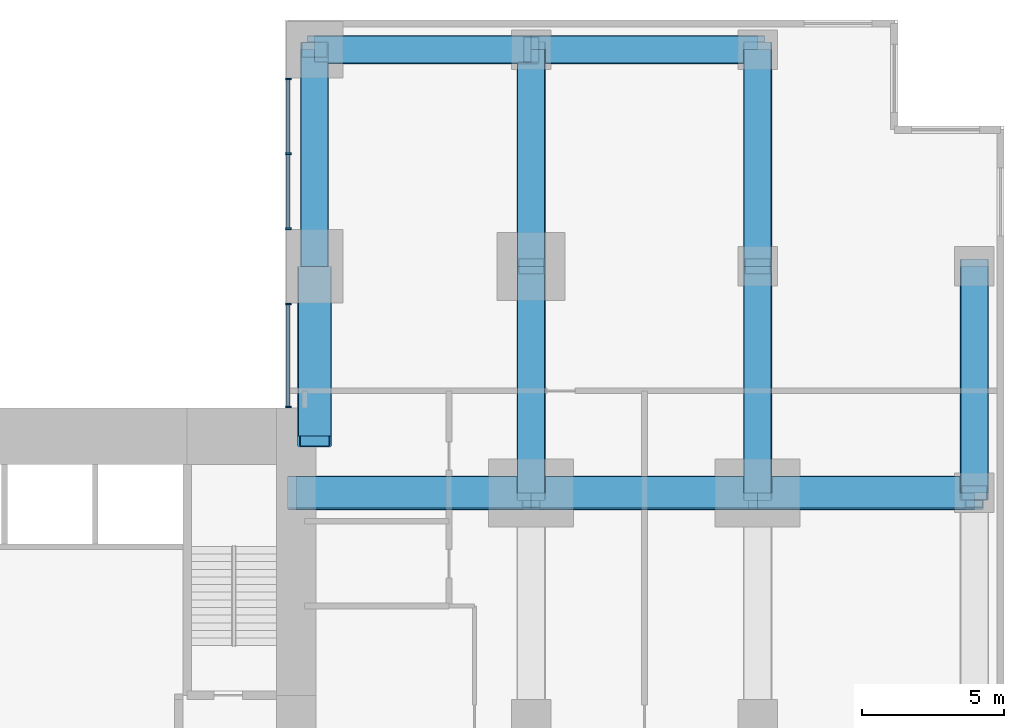
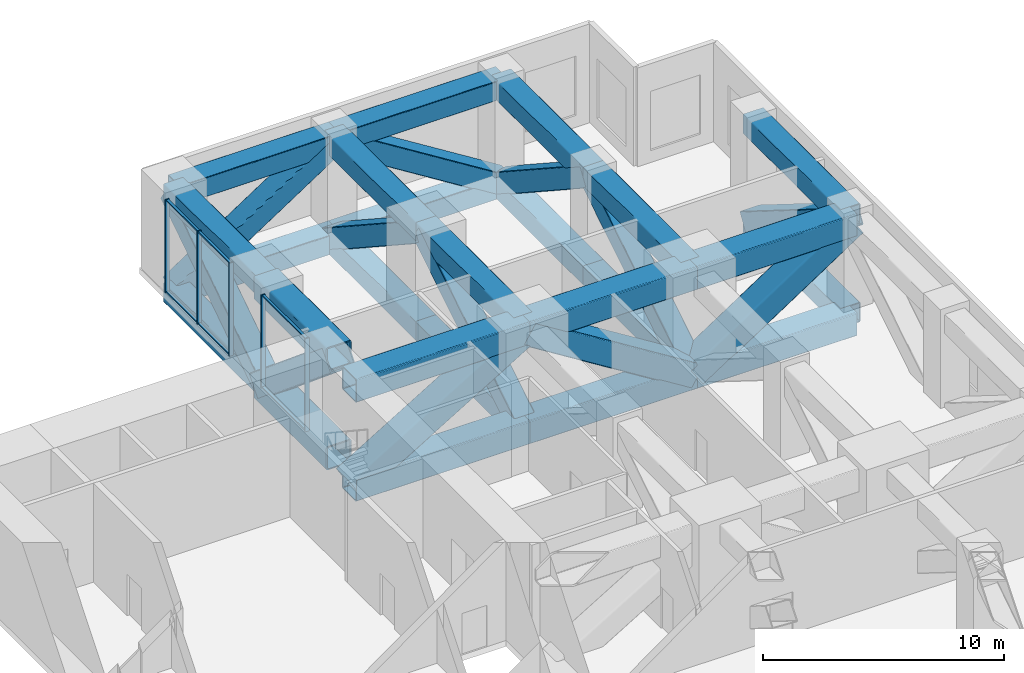
# One storey, part 3 of 7: 47 members, 2 elements without a shape of their own.
"""IFC4 building model written with IfcOpenShell, lengths in metres."""

from ifc_helpers import new_model, si_unit, direction, frame, origin, origin_2d, place, context, subcontext, project, spatial, rectangle, hollow_rectangle, extrude, material, layer, layer_set, material_profile, profile_set, type_object, element, aggregate, save


model = new_model("IFC4")

# Units and contexts
model_context = context("Model", 3, precision=1e-05, world=origin(), true_north=direction((0.0, 1.0)))
body_context = subcontext(model_context, "Body", "Model", "MODEL_VIEW")
ifc_project = project(units=[si_unit("LENGTHUNIT", "METRE"), si_unit("AREAUNIT", "SQUARE_METRE"), si_unit("VOLUMEUNIT", "CUBIC_METRE"), si_unit("PLANEANGLEUNIT", "RADIAN"), si_unit("MASSUNIT", "GRAM", prefix="KILO")], contexts=[model_context])

# Site, building, storey
site_placement = place(None, origin())
site = spatial("IfcSite", under=ifc_project, at=site_placement, CompositionType="ELEMENT")
building_placement = place(site_placement, origin())
building = spatial("IfcBuilding", under=site, at=building_placement, Name="Cleftline Residences", CompositionType="ELEMENT")
storey_placement = place(building_placement, frame((0.0, 0.0, 291.60009765625)))
storey = spatial("IfcBuildingStorey", under=building, at=storey_placement, Name="L76", CompositionType="ELEMENT", Elevation=291.60009765625)

# Members
ifc_material_1 = material(Name="Steel S355", Category="steel")
ifc_material_profile_1 = material_profile(ifc_material_1, hollow_rectangle(XDim=1.0, YDim=1.0, WallThickness=0.0400390625, InnerFilletRadius=0.0400390625, OuterFilletRadius=0.06005859375, at=origin_2d()))
ifc_profile_set_1 = profile_set([ifc_material_profile_1], Name="Steel S355")
member_type_1 = type_object("IfcMemberType", Name="BRACE BOX 1000X1000X40", PredefinedType="BRACE", material=ifc_profile_set_1)
member_1_placement = place(storey_placement, frame((42.35009765625, 40.0, -0.800048828125), z_axis=(0.0, 0.837062783189, 0.547106842399), x_axis=(0.0, -0.547106842399, 0.837062783189)))
element("IfcMember", 1, at=member_1_placement, inside=storey, type_object=member_type_1, Name="Belt truss diagonal", PredefinedType="BRACE", context=body_context, shape_type="SweptSolid", body=[
    extrude(hollow_rectangle(XDim=1.0, YDim=1.0, WallThickness=0.0400390625, InnerFilletRadius=0.0400390625, OuterFilletRadius=0.06005859375, at=origin_2d()), origin(), (0.0, 0.0, 1.0), 9.138916015625),
])
member_2_placement = place(storey_placement, frame((50.0, 32.0, -0.800048828125), z_axis=(0.0, 0.847998304005, 0.529998940003), x_axis=(0.0, -0.529998940003, 0.847998304005)))
element("IfcMember", 2, at=member_2_placement, inside=storey, type_object=member_type_1, Name="Belt truss diagonal", PredefinedType="BRACE", context=body_context, shape_type="SweptSolid", body=[
    extrude(hollow_rectangle(XDim=1.0, YDim=1.0, WallThickness=0.0400390625, InnerFilletRadius=0.0400390625, OuterFilletRadius=0.06005859375, at=origin_2d()), origin(), (0.0, 0.0, 1.0), 9.43408203125),
])
member_3_placement = place(storey_placement, frame((50.0, 40.0, 4.199951171875), z_axis=(0.0, 0.837062783189, -0.547106842399), x_axis=(0.0, 0.547106842399, 0.837062783189)))
element("IfcMember", 3, at=member_3_placement, inside=storey, type_object=member_type_1, Name="Belt truss diagonal", PredefinedType="BRACE", context=body_context, shape_type="SweptSolid", body=[
    extrude(hollow_rectangle(XDim=1.0, YDim=1.0, WallThickness=0.0400390625, InnerFilletRadius=0.0400390625, OuterFilletRadius=0.06005859375, at=origin_2d()), origin(), (0.0, 0.0, 1.0), 9.138916015625),
])
member_4_placement = place(storey_placement, frame((58.0, 32.0, -0.800048828125), z_axis=(0.0, 0.847998304005, 0.529998940003), x_axis=(0.0, -0.529998940003, 0.847998304005)))
element("IfcMember", 4, at=member_4_placement, inside=storey, type_object=member_type_1, Name="Belt truss diagonal", PredefinedType="BRACE", context=body_context, shape_type="SweptSolid", body=[
    extrude(hollow_rectangle(XDim=1.0, YDim=1.0, WallThickness=0.0400390625, InnerFilletRadius=0.0400390625, OuterFilletRadius=0.06005859375, at=origin_2d()), origin(), (0.0, 0.0, 1.0), 9.43408203125),
])
member_5_placement = place(storey_placement, frame((58.0, 40.0, 4.199951171875), z_axis=(0.0, 0.837062783189, -0.547106842399), x_axis=(0.0, 0.547106842399, 0.837062783189)))
element("IfcMember", 5, at=member_5_placement, inside=storey, type_object=member_type_1, Name="Belt truss diagonal", PredefinedType="BRACE", context=body_context, shape_type="SweptSolid", body=[
    extrude(hollow_rectangle(XDim=1.0, YDim=1.0, WallThickness=0.0400390625, InnerFilletRadius=0.0400390625, OuterFilletRadius=0.06005859375, at=origin_2d()), origin(), (0.0, 0.0, 1.0), 9.138916015625),
])
member_6_placement = place(storey_placement, frame((65.64990234375, 32.0, 4.199951171875), z_axis=(0.0, 0.847998304005, -0.529998940003), x_axis=(0.0, 0.529998940003, 0.847998304005)))
element("IfcMember", 6, at=member_6_placement, inside=storey, type_object=member_type_1, Name="Belt truss diagonal", PredefinedType="BRACE", context=body_context, shape_type="SweptSolid", body=[
    extrude(hollow_rectangle(XDim=1.0, YDim=1.0, WallThickness=0.0400390625, InnerFilletRadius=0.0400390625, OuterFilletRadius=0.06005859375, at=origin_2d()), origin(), (0.0, 0.0, 1.0), 9.43408203125),
])
member_7_placement = place(storey_placement, frame((42.35009765625, 47.64990234375, -0.800048828125), z_axis=(0.837062783189, 0.0, 0.547106842399), x_axis=(-0.547106842399, 0.0, 0.837062783189)))
element("IfcMember", 7, at=member_7_placement, inside=storey, type_object=member_type_1, Name="Belt truss diagonal", PredefinedType="BRACE", context=body_context, shape_type="SweptSolid", body=[
    extrude(hollow_rectangle(XDim=1.0, YDim=1.0, WallThickness=0.0400390625, InnerFilletRadius=0.0400390625, OuterFilletRadius=0.06005859375, at=origin_2d()), origin(), (0.0, 0.0, 1.0), 9.138916015625),
])
member_8_placement = place(storey_placement, frame((50.0, 47.64990234375, 4.199951171875), z_axis=(0.847998304005, 0.0, -0.529998940003), x_axis=(0.529998940003, 0.0, 0.847998304005)))
element("IfcMember", 8, at=member_8_placement, inside=storey, type_object=member_type_1, Name="Belt truss diagonal", PredefinedType="BRACE", context=body_context, shape_type="SweptSolid", body=[
    extrude(hollow_rectangle(XDim=1.0, YDim=1.0, WallThickness=0.0400390625, InnerFilletRadius=0.0400390625, OuterFilletRadius=0.06005859375, at=origin_2d()), origin(), (0.0, 0.0, 1.0), 9.43408203125),
])
ifc_material_2 = material(Name="Steel S355", Category="steel")
ifc_material_profile_2 = material_profile(ifc_material_2, hollow_rectangle(XDim=1.199951171875, YDim=1.199951171875, WallThickness=0.06005859375, InnerFilletRadius=0.06005859375, OuterFilletRadius=0.090087890625, at=origin_2d()))
ifc_profile_set_2 = profile_set([ifc_material_profile_2], Name="Steel S355")
member_type_2 = type_object("IfcMemberType", Name="BRACE BOX 1200X1200X60", PredefinedType="BRACE", material=ifc_profile_set_2)
member_9_placement = place(storey_placement, frame((41.699951171875, 32.0, -0.900146484375), z_axis=(0.85658231387, 0.0, 0.51601040645), x_axis=(-0.51601040645, 0.0, 0.85658231387)))
element("IfcMember", 9, at=member_9_placement, inside=storey, type_object=member_type_2, Name="Outrigger truss diagonal", PredefinedType="BRACE", context=body_context, shape_type="SweptSolid", body=[
    extrude(hollow_rectangle(XDim=1.199951171875, YDim=1.199951171875, WallThickness=0.06005859375, InnerFilletRadius=0.06005859375, OuterFilletRadius=0.090087890625, at=origin_2d()), origin(), (0.0, 0.0, 1.0), 9.689697265625),
])
member_10_placement = place(storey_placement, frame((50.0, 32.0, 4.099853515625), z_axis=(0.847998304005, 0.0, -0.529998940003), x_axis=(0.529998940003, 0.0, 0.847998304005)))
element("IfcMember", 10, at=member_10_placement, inside=storey, type_object=member_type_2, Name="Outrigger truss diagonal", PredefinedType="BRACE", context=body_context, shape_type="SweptSolid", body=[
    extrude(hollow_rectangle(XDim=1.199951171875, YDim=1.199951171875, WallThickness=0.06005859375, InnerFilletRadius=0.06005859375, OuterFilletRadius=0.090087890625, at=origin_2d()), origin(), (0.0, 0.0, 1.0), 9.43408203125),
])
member_11_placement = place(storey_placement, frame((58.0, 32.0, -0.900146484375), z_axis=(0.837062783189, 0.0, 0.547106842399), x_axis=(-0.547106842399, 0.0, 0.837062783189)))
element("IfcMember", 11, at=member_11_placement, inside=storey, type_object=member_type_2, Name="Outrigger truss diagonal", PredefinedType="BRACE", context=body_context, shape_type="SweptSolid", body=[
    extrude(hollow_rectangle(XDim=1.199951171875, YDim=1.199951171875, WallThickness=0.06005859375, InnerFilletRadius=0.06005859375, OuterFilletRadius=0.090087890625, at=origin_2d()), origin(), (0.0, 0.0, 1.0), 9.138916015625),
])
member_12_placement = place(storey_placement, frame((42.35009765625, 40.0, -0.900146484375), z_axis=(0.0, -0.768221279597, 0.640184399664), x_axis=(0.0, 0.640184399664, 0.768221279597)))
element("IfcMember", 12, at=member_12_placement, inside=storey, type_object=member_type_2, Name="Outrigger truss diagonal", PredefinedType="BRACE", context=body_context, shape_type="SweptSolid", body=[
    extrude(hollow_rectangle(XDim=1.199951171875, YDim=1.199951171875, WallThickness=0.06005859375, InnerFilletRadius=0.06005859375, OuterFilletRadius=0.090087890625, at=origin_2d()), origin(), (0.0, 0.0, 1.0), 7.810302734375),
])
ifc_material_3 = material(Name="Steel S355", Category="steel")
ifc_material_profile_3 = material_profile(ifc_material_3, hollow_rectangle(XDim=1.0, YDim=1.0, WallThickness=0.0400390625, InnerFilletRadius=0.0400390625, OuterFilletRadius=0.06005859375, at=origin_2d()))
ifc_profile_set_3 = profile_set([ifc_material_profile_3], Name="Steel S355")
member_type_3 = type_object("IfcMemberType", Name="CHORD BOX 1000X1000X40", PredefinedType="CHORD", material=ifc_profile_set_3)
for number, where, z_axis, x_axis, name in (
    (13, (42.35009765625, 40.0, -0.800048828125), (0.0, 1.0, 0.0), (-1.0, 0.0, 0.0), "Belt truss bottom chord"),
    (14, (42.35009765625, 40.0, 4.199951171875), (0.0, 1.0, 0.0), (-1.0, 0.0, 0.0), "Belt truss top chord"),
):
    element("IfcMember", number, at=place(storey_placement, frame(where, z_axis=z_axis, x_axis=x_axis)), inside=storey, type_object=member_type_3, Name=name, PredefinedType="CHORD", context=body_context, shape_type="SweptSolid", body=[
        extrude(hollow_rectangle(XDim=1.0, YDim=1.0, WallThickness=0.0400390625, InnerFilletRadius=0.0400390625, OuterFilletRadius=0.06005859375, at=origin_2d()), origin(), (0.0, 0.0, 1.0), 7.64990234375),
    ])
for number, where, z_axis, x_axis, name in (
    (15, (50.0, 32.0, -0.800048828125), (0.0, 1.0, 0.0), (-1.0, 0.0, 0.0), "Belt truss bottom chord"),
    (16, (50.0, 32.0, 4.199951171875), (0.0, 1.0, 0.0), (-1.0, 0.0, 0.0), "Belt truss top chord"),
):
    element("IfcMember", number, at=place(storey_placement, frame(where, z_axis=z_axis, x_axis=x_axis)), inside=storey, type_object=member_type_3, Name=name, PredefinedType="CHORD", context=body_context, shape_type="SweptSolid", body=[
        extrude(hollow_rectangle(XDim=1.0, YDim=1.0, WallThickness=0.0400390625, InnerFilletRadius=0.0400390625, OuterFilletRadius=0.06005859375, at=origin_2d()), origin(), (0.0, 0.0, 1.0), 8.0),
    ])
for number, where, z_axis, x_axis, name in (
    (17, (50.0, 40.0, -0.800048828125), (0.0, 1.0, 0.0), (-1.0, 0.0, 0.0), "Belt truss bottom chord"),
    (18, (50.0, 40.0, 4.199951171875), (0.0, 1.0, 0.0), (-1.0, 0.0, 0.0), "Belt truss top chord"),
):
    element("IfcMember", number, at=place(storey_placement, frame(where, z_axis=z_axis, x_axis=x_axis)), inside=storey, type_object=member_type_3, Name=name, PredefinedType="CHORD", context=body_context, shape_type="SweptSolid", body=[
        extrude(hollow_rectangle(XDim=1.0, YDim=1.0, WallThickness=0.0400390625, InnerFilletRadius=0.0400390625, OuterFilletRadius=0.06005859375, at=origin_2d()), origin(), (0.0, 0.0, 1.0), 7.64990234375),
    ])
for number, where, z_axis, x_axis, name in (
    (19, (58.0, 32.0, -0.800048828125), (0.0, 1.0, 0.0), (-1.0, 0.0, 0.0), "Belt truss bottom chord"),
    (20, (58.0, 32.0, 4.199951171875), (0.0, 1.0, 0.0), (-1.0, 0.0, 0.0), "Belt truss top chord"),
):
    element("IfcMember", number, at=place(storey_placement, frame(where, z_axis=z_axis, x_axis=x_axis)), inside=storey, type_object=member_type_3, Name=name, PredefinedType="CHORD", context=body_context, shape_type="SweptSolid", body=[
        extrude(hollow_rectangle(XDim=1.0, YDim=1.0, WallThickness=0.0400390625, InnerFilletRadius=0.0400390625, OuterFilletRadius=0.06005859375, at=origin_2d()), origin(), (0.0, 0.0, 1.0), 8.0),
    ])
for number, where, z_axis, x_axis, name in (
    (21, (58.0, 40.0, -0.800048828125), (0.0, 1.0, 0.0), (-1.0, 0.0, 0.0), "Belt truss bottom chord"),
    (22, (58.0, 40.0, 4.199951171875), (0.0, 1.0, 0.0), (-1.0, 0.0, 0.0), "Belt truss top chord"),
):
    element("IfcMember", number, at=place(storey_placement, frame(where, z_axis=z_axis, x_axis=x_axis)), inside=storey, type_object=member_type_3, Name=name, PredefinedType="CHORD", context=body_context, shape_type="SweptSolid", body=[
        extrude(hollow_rectangle(XDim=1.0, YDim=1.0, WallThickness=0.0400390625, InnerFilletRadius=0.0400390625, OuterFilletRadius=0.06005859375, at=origin_2d()), origin(), (0.0, 0.0, 1.0), 7.64990234375),
    ])
for number, where, z_axis, x_axis, name in (
    (23, (65.64990234375, 32.0, -0.800048828125), (0.0, 1.0, 0.0), (-1.0, 0.0, 0.0), "Belt truss bottom chord"),
    (24, (65.64990234375, 32.0, 4.199951171875), (0.0, 1.0, 0.0), (-1.0, 0.0, 0.0), "Belt truss top chord"),
):
    element("IfcMember", number, at=place(storey_placement, frame(where, z_axis=z_axis, x_axis=x_axis)), inside=storey, type_object=member_type_3, Name=name, PredefinedType="CHORD", context=body_context, shape_type="SweptSolid", body=[
        extrude(hollow_rectangle(XDim=1.0, YDim=1.0, WallThickness=0.0400390625, InnerFilletRadius=0.0400390625, OuterFilletRadius=0.06005859375, at=origin_2d()), origin(), (0.0, 0.0, 1.0), 8.0),
    ])
for number, where, z_axis, x_axis, name in (
    (25, (42.35009765625, 47.64990234375, -0.800048828125), (1.0, 0.0, 0.0), (0.0, 1.0, 0.0), "Belt truss bottom chord"),
    (26, (42.35009765625, 47.64990234375, 4.199951171875), (1.0, 0.0, 0.0), (0.0, 1.0, 0.0), "Belt truss top chord"),
):
    element("IfcMember", number, at=place(storey_placement, frame(where, z_axis=z_axis, x_axis=x_axis)), inside=storey, type_object=member_type_3, Name=name, PredefinedType="CHORD", context=body_context, shape_type="SweptSolid", body=[
        extrude(hollow_rectangle(XDim=1.0, YDim=1.0, WallThickness=0.0400390625, InnerFilletRadius=0.0400390625, OuterFilletRadius=0.06005859375, at=origin_2d()), origin(), (0.0, 0.0, 1.0), 7.64990234375),
    ])
for number, where, z_axis, x_axis, name in (
    (27, (50.0, 47.64990234375, -0.800048828125), (1.0, 0.0, 0.0), (0.0, 1.0, 0.0), "Belt truss bottom chord"),
    (28, (50.0, 47.64990234375, 4.199951171875), (1.0, 0.0, 0.0), (0.0, 1.0, 0.0), "Belt truss top chord"),
):
    element("IfcMember", number, at=place(storey_placement, frame(where, z_axis=z_axis, x_axis=x_axis)), inside=storey, type_object=member_type_3, Name=name, PredefinedType="CHORD", context=body_context, shape_type="SweptSolid", body=[
        extrude(hollow_rectangle(XDim=1.0, YDim=1.0, WallThickness=0.0400390625, InnerFilletRadius=0.0400390625, OuterFilletRadius=0.06005859375, at=origin_2d()), origin(), (0.0, 0.0, 1.0), 8.0),
    ])
ifc_material_4 = material(Name="Steel S355", Category="steel")
ifc_material_profile_4 = material_profile(ifc_material_4, hollow_rectangle(XDim=1.199951171875, YDim=1.199951171875, WallThickness=0.06005859375, InnerFilletRadius=0.06005859375, OuterFilletRadius=0.090087890625, at=origin_2d()))
ifc_profile_set_4 = profile_set([ifc_material_profile_4], Name="Steel S355")
member_type_4 = type_object("IfcMemberType", Name="CHORD BOX 1200X1200X60", PredefinedType="CHORD", material=ifc_profile_set_4)
for number, where, z_axis, x_axis, name in (
    (29, (41.699951171875, 32.0, -0.900146484375), (1.0, 0.0, 0.0), (0.0, 1.0, 0.0), "Outrigger truss bottom chord"),
    (30, (41.699951171875, 32.0, 4.099853515625), (1.0, 0.0, 0.0), (0.0, 1.0, 0.0), "Outrigger truss top chord"),
):
    element("IfcMember", number, at=place(storey_placement, frame(where, z_axis=z_axis, x_axis=x_axis)), inside=storey, type_object=member_type_4, Name=name, PredefinedType="CHORD", context=body_context, shape_type="SweptSolid", body=[
        extrude(hollow_rectangle(XDim=1.199951171875, YDim=1.199951171875, WallThickness=0.06005859375, InnerFilletRadius=0.06005859375, OuterFilletRadius=0.090087890625, at=origin_2d()), origin(), (0.0, 0.0, 1.0), 8.300048828125),
    ])
for number, where, z_axis, x_axis, name in (
    (31, (50.0, 32.0, -0.900146484375), (1.0, 0.0, 0.0), (0.0, 1.0, 0.0), "Outrigger truss bottom chord"),
    (32, (50.0, 32.0, 4.099853515625), (1.0, 0.0, 0.0), (0.0, 1.0, 0.0), "Outrigger truss top chord"),
):
    element("IfcMember", number, at=place(storey_placement, frame(where, z_axis=z_axis, x_axis=x_axis)), inside=storey, type_object=member_type_4, Name=name, PredefinedType="CHORD", context=body_context, shape_type="SweptSolid", body=[
        extrude(hollow_rectangle(XDim=1.199951171875, YDim=1.199951171875, WallThickness=0.06005859375, InnerFilletRadius=0.06005859375, OuterFilletRadius=0.090087890625, at=origin_2d()), origin(), (0.0, 0.0, 1.0), 8.0),
    ])
for number, where, z_axis, x_axis, name in (
    (33, (58.0, 32.0, -0.900146484375), (1.0, 0.0, 0.0), (0.0, 1.0, 0.0), "Outrigger truss bottom chord"),
    (34, (58.0, 32.0, 4.099853515625), (1.0, 0.0, 0.0), (0.0, 1.0, 0.0), "Outrigger truss top chord"),
):
    element("IfcMember", number, at=place(storey_placement, frame(where, z_axis=z_axis, x_axis=x_axis)), inside=storey, type_object=member_type_4, Name=name, PredefinedType="CHORD", context=body_context, shape_type="SweptSolid", body=[
        extrude(hollow_rectangle(XDim=1.199951171875, YDim=1.199951171875, WallThickness=0.06005859375, InnerFilletRadius=0.06005859375, OuterFilletRadius=0.090087890625, at=origin_2d()), origin(), (0.0, 0.0, 1.0), 7.64990234375),
    ])
for number, where, z_axis, x_axis, name in (
    (35, (42.35009765625, 40.0, -0.900146484375), (0.0, -1.0, 0.0), (1.0, 0.0, 0.0), "Outrigger truss bottom chord"),
    (36, (42.35009765625, 40.0, 4.099853515625), (0.0, -1.0, 0.0), (1.0, 0.0, 0.0), "Outrigger truss top chord"),
):
    element("IfcMember", number, at=place(storey_placement, frame(where, z_axis=z_axis, x_axis=x_axis)), inside=storey, type_object=member_type_4, Name=name, PredefinedType="CHORD", context=body_context, shape_type="SweptSolid", body=[
        extrude(hollow_rectangle(XDim=1.199951171875, YDim=1.199951171875, WallThickness=0.06005859375, InnerFilletRadius=0.06005859375, OuterFilletRadius=0.090087890625, at=origin_2d()), origin(), (0.0, 0.0, 1.0), 6.0),
    ])

# Curtain wall, members
ifc_material_5 = material(Name="Aluminium framed curtain wall", Category="aluminium")
ifc_layer = layer(ifc_material_5, 0.199951171875)
ifc_layer_set = layer_set([ifc_layer], Name="CW1 CLEFT GLAZING")
curtain_wall_type = type_object("IfcCurtainWallType", Name="CW1 CLEFT GLAZING", PredefinedType="NOTDEFINED", material=ifc_layer_set)
curtain_wall_1_placement = place(storey_placement, origin())
curtain_wall_1 = element("IfcCurtainWall", 37, at=curtain_wall_1_placement, inside=storey, type_object=curtain_wall_type, Name="Curtain wall CW1", PredefinedType="NOTDEFINED")
ifc_material_6 = material(Name="Aluminium mullion", Category="aluminium")
ifc_material_profile_5 = material_profile(ifc_material_6, rectangle(XDim=0.199951171875, YDim=0.06005859375, at=origin_2d()))
ifc_profile_set_5 = profile_set([ifc_material_profile_5], Name="Aluminium mullion")
member_type_5 = type_object("IfcMemberType", Name="CW1 MULLION", PredefinedType="MULLION", material=ifc_profile_set_5)
member_13_placement = place(storey_placement, frame((41.425048828125, 46.6201171875, 0.0), z_axis=(0.0, 0.0, 1.0), x_axis=(1.0, 0.0, 0.0)))
member_13 = element("IfcMember", 38, at=member_13_placement, type_object=member_type_5, Name="CW1 mullion 1", PredefinedType="MULLION", context=body_context, shape_type="SweptSolid", body=[
    extrude(rectangle(XDim=0.199951171875, YDim=0.06005859375, at=origin_2d()), origin(), (0.0, 0.0, 1.0), 4.699951171875),
])
member_14_placement = place(storey_placement, frame((41.425048828125, 43.97509765625, 0.0), z_axis=(0.0, 0.0, 1.0), x_axis=(1.0, 0.0, 0.0)))
member_14 = element("IfcMember", 39, at=member_14_placement, type_object=member_type_5, Name="CW1 mullion 2", PredefinedType="MULLION", context=body_context, shape_type="SweptSolid", body=[
    extrude(rectangle(XDim=0.199951171875, YDim=0.06005859375, at=origin_2d()), origin(), (0.0, 0.0, 1.0), 4.699951171875),
])
member_15_placement = place(storey_placement, frame((41.425048828125, 41.330078125, 0.0), z_axis=(0.0, 0.0, 1.0), x_axis=(1.0, 0.0, 0.0)))
member_15 = element("IfcMember", 40, at=member_15_placement, type_object=member_type_5, Name="CW1 mullion 3", PredefinedType="MULLION", context=body_context, shape_type="SweptSolid", body=[
    extrude(rectangle(XDim=0.199951171875, YDim=0.06005859375, at=origin_2d()), origin(), (0.0, 0.0, 1.0), 4.699951171875),
])

curtain_wall_2_placement = place(storey_placement, origin())
curtain_wall_2 = element("IfcCurtainWall", 41, at=curtain_wall_2_placement, inside=storey, type_object=curtain_wall_type, Name="Curtain wall CW1", PredefinedType="NOTDEFINED")
member_16_placement = place(storey_placement, frame((41.425048828125, 38.669921875, 0.0), z_axis=(0.0, 0.0, 1.0), x_axis=(1.0, 0.0, 0.0)))
member_16 = element("IfcMember", 42, at=member_16_placement, type_object=member_type_5, Name="CW1 mullion 1", PredefinedType="MULLION", context=body_context, shape_type="SweptSolid", body=[
    extrude(rectangle(XDim=0.199951171875, YDim=0.06005859375, at=origin_2d()), origin(), (0.0, 0.0, 1.0), 4.699951171875),
])
member_17_placement = place(storey_placement, frame((41.425048828125, 35.030029296875, 0.0), z_axis=(0.0, 0.0, 1.0), x_axis=(1.0, 0.0, 0.0)))
member_17 = element("IfcMember", 43, at=member_17_placement, type_object=member_type_5, Name="CW1 mullion 2", PredefinedType="MULLION", context=body_context, shape_type="SweptSolid", body=[
    extrude(rectangle(XDim=0.199951171875, YDim=0.06005859375, at=origin_2d()), origin(), (0.0, 0.0, 1.0), 4.699951171875),
])

# Member
ifc_material_7 = material(Name="Aluminium transom", Category="aluminium")
ifc_material_profile_6 = material_profile(ifc_material_7, rectangle(XDim=0.1201171875, YDim=0.06005859375, at=origin_2d()))
ifc_profile_set_6 = profile_set([ifc_material_profile_6], Name="Aluminium transom")
member_type_6 = type_object("IfcMemberType", Name="CW1 TRANSOM", PredefinedType="USERDEFINED", material=ifc_profile_set_6)
member_18_placement = place(storey_placement, frame((41.425048828125, 46.590087890625, 0.02978515625), z_axis=(0.0, -1.0, 0.0), x_axis=(1.0, 0.0, 0.0)))
member_18 = element("IfcMember", 44, at=member_18_placement, type_object=member_type_6, Name="CW1 transom 1.1", ObjectType="TRANSOM", PredefinedType="USERDEFINED", context=body_context, shape_type="SweptSolid", body=[
    extrude(rectangle(XDim=0.1201171875, YDim=0.06005859375, at=origin_2d()), origin(), (0.0, 0.0, 1.0), 2.585205078125),
])

member_19_placement = place(storey_placement, frame((41.425048828125, 46.590087890625, 4.669921875), z_axis=(0.0, -1.0, 0.0), x_axis=(1.0, 0.0, 0.0)))
member_19 = element("IfcMember", 45, at=member_19_placement, type_object=member_type_6, Name="CW1 transom 1.2", ObjectType="TRANSOM", PredefinedType="USERDEFINED", context=body_context, shape_type="SweptSolid", body=[
    extrude(rectangle(XDim=0.1201171875, YDim=0.06005859375, at=origin_2d()), origin(), (0.0, 0.0, 1.0), 2.585205078125),
])

member_20_placement = place(storey_placement, frame((41.425048828125, 43.945068359375, 0.02978515625), z_axis=(0.0, -1.0, 0.0), x_axis=(1.0, 0.0, 0.0)))
member_20 = element("IfcMember", 46, at=member_20_placement, type_object=member_type_6, Name="CW1 transom 2.1", ObjectType="TRANSOM", PredefinedType="USERDEFINED", context=body_context, shape_type="SweptSolid", body=[
    extrude(rectangle(XDim=0.1201171875, YDim=0.06005859375, at=origin_2d()), origin(), (0.0, 0.0, 1.0), 2.5849609375),
])

member_21_placement = place(storey_placement, frame((41.425048828125, 43.945068359375, 4.669921875), z_axis=(0.0, -1.0, 0.0), x_axis=(1.0, 0.0, 0.0)))
member_21 = element("IfcMember", 47, at=member_21_placement, type_object=member_type_6, Name="CW1 transom 2.2", ObjectType="TRANSOM", PredefinedType="USERDEFINED", context=body_context, shape_type="SweptSolid", body=[
    extrude(rectangle(XDim=0.1201171875, YDim=0.06005859375, at=origin_2d()), origin(), (0.0, 0.0, 1.0), 2.5849609375),
])

aggregate(curtain_wall_1, [member_13, member_14, member_15, member_18, member_19, member_20, member_21])

member_22_placement = place(storey_placement, frame((41.425048828125, 38.639892578125, 0.02978515625), z_axis=(0.0, -1.0, 0.0), x_axis=(1.0, 0.0, 0.0)))
member_22 = element("IfcMember", 48, at=member_22_placement, type_object=member_type_6, Name="CW1 transom 1.1", ObjectType="TRANSOM", PredefinedType="USERDEFINED", context=body_context, shape_type="SweptSolid", body=[
    extrude(rectangle(XDim=0.1201171875, YDim=0.06005859375, at=origin_2d()), origin(), (0.0, 0.0, 1.0), 3.579833984375),
])

member_23_placement = place(storey_placement, frame((41.425048828125, 38.639892578125, 4.669921875), z_axis=(0.0, -1.0, 0.0), x_axis=(1.0, 0.0, 0.0)))
member_23 = element("IfcMember", 49, at=member_23_placement, type_object=member_type_6, Name="CW1 transom 1.2", ObjectType="TRANSOM", PredefinedType="USERDEFINED", context=body_context, shape_type="SweptSolid", body=[
    extrude(rectangle(XDim=0.1201171875, YDim=0.06005859375, at=origin_2d()), origin(), (0.0, 0.0, 1.0), 3.579833984375),
])

aggregate(curtain_wall_2, [member_16, member_17, member_22, member_23])

save(model, "model.ifc")
